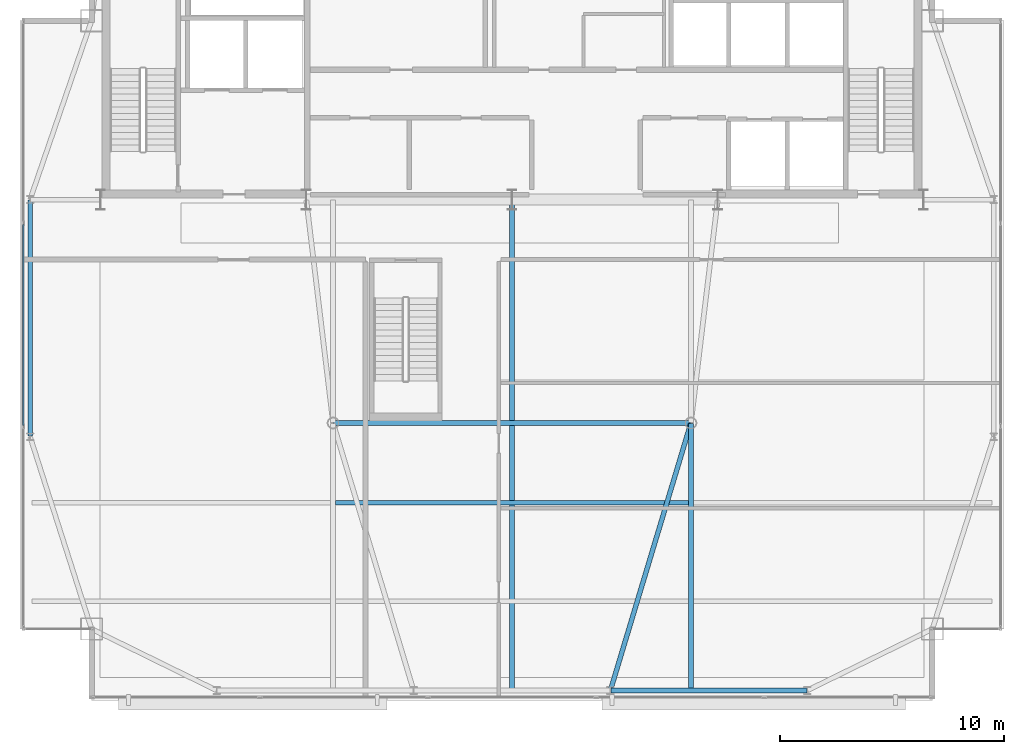
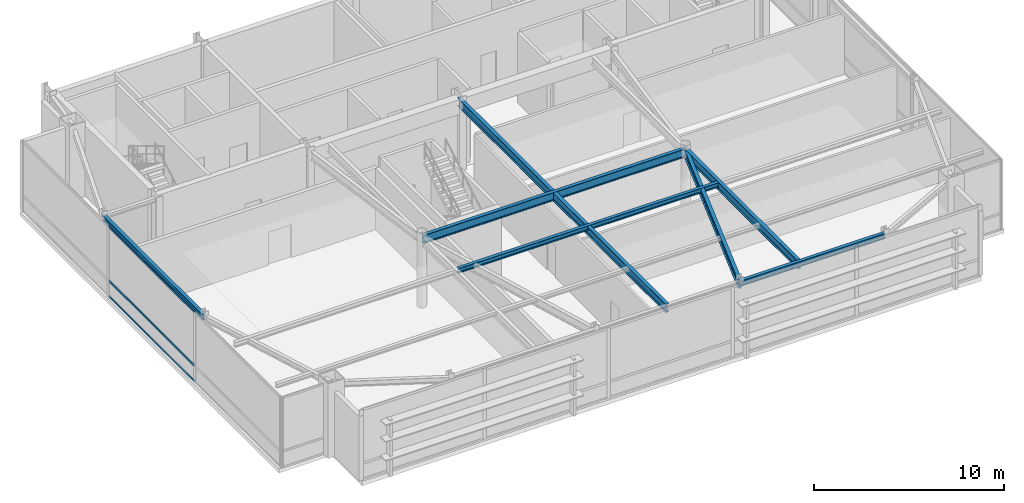
# One storey, part 9 of 21: 7 beams, 3 members, 1 element without a shape of its own.
"""IFC4 building model written with IfcOpenShell, lengths in metres."""

import ifcopenshell
import ifcopenshell.guid

model = None  # the IFC model being written
_history = None  # IfcOwnerHistory: only IFC2X3 demands one
_inside = {}  # id of a spatial element -> (the spatial element, [elements in it])
_under = {}  # id of a project, library or spatial element -> (it, [spatial elements below it])
_declared = {}  # id of a project -> (the project, [libraries it declares])
_typed = {}  # id of a type object -> (the type object, [elements of that type])
_made_of = {}  # id of a material, layer set ... -> (it, [elements and type objects made of it])


def new_model(schema):
    """Start an empty IFC model of exactly this schema.

    Asked for "IFC4X3", IfcOpenShell would pick the latest addendum, in which some entities
    have other attributes; the version numbers below select the first issue.
    IFC2X3 requires an IfcOwnerHistory on every rooted entity: one is made here for all.
    """
    global model, _history
    if schema == "IFC4X3":
        model = ifcopenshell.file(schema_version=(4, 3, 0, 0))
    else:
        model = ifcopenshell.file(schema=schema)
    _inside.clear()
    _under.clear()
    _declared.clear()
    _typed.clear()
    _made_of.clear()
    _history = None
    if model.schema == "IFC2X3":
        org = make("IfcOrganization", Name="unknown")
        user = make(
            "IfcPersonAndOrganization",
            ThePerson=make("IfcPerson", FamilyName="unknown"),
            TheOrganization=org,
        )
        app = make(
            "IfcApplication",
            ApplicationDeveloper=org,
            Version="unknown",
            ApplicationFullName="unknown",
            ApplicationIdentifier="unknown",
        )
        _history = make(
            "IfcOwnerHistory",
            OwningUser=user,
            OwningApplication=app,
            ChangeAction="ADDED",
            CreationDate=0,
        )
    return model


def make(cls, **values):
    """One entity of the class cls with the attributes given. An attribute that is None is left unset."""
    return model.create_entity(
        cls, **{name: value for name, value in values.items() if value is not None}
    )


def rooted(cls, **values):
    """An entity with a GlobalId (a new one), such as an element, a storey or a relation."""
    return make(cls, GlobalId=ifcopenshell.guid.new(), OwnerHistory=_history, **values)


def si_unit(unit_type, name, prefix=None):
    """IfcSIUnit, for example si_unit("LENGTHUNIT", "METRE", prefix="MILLI")."""
    return make("IfcSIUnit", UnitType=unit_type, Prefix=prefix, Name=name)


def assignment(units):
    """IfcUnitAssignment: the units of a project."""
    return None if units is None else make("IfcUnitAssignment", Units=units)


def point(xyz):
    """IfcCartesianPoint."""
    return None if xyz is None else make("IfcCartesianPoint", Coordinates=xyz)


def direction(xyz):
    """IfcDirection."""
    return None if xyz is None else make("IfcDirection", DirectionRatios=xyz)


def frame(location, z_axis=None, x_axis=None):
    """IfcAxis2Placement3D, a coordinate frame: its origin and axes. An axis left out is left unset."""
    return make(
        "IfcAxis2Placement3D",
        Location=point(location),
        Axis=direction(z_axis),
        RefDirection=direction(x_axis),
    )


def frame_2d(location, x_axis=None):
    """IfcAxis2Placement2D, a coordinate frame in the plane: its origin and x axis."""
    return make(
        "IfcAxis2Placement2D", Location=point(location), RefDirection=direction(x_axis)
    )


def origin():
    """The frame at (0, 0, 0) with its axes left unset."""
    return frame((0.0, 0.0, 0.0))


def origin_2d():
    """The frame at (0, 0) in the plane with its x axis left unset."""
    return frame_2d((0.0, 0.0))


def place(relative_to, where):
    """IfcLocalPlacement: puts the frame where relative to a parent placement (None: the world)."""
    return make(
        "IfcLocalPlacement", PlacementRelTo=relative_to, RelativePlacement=where
    )


def context(
    kind, dimensions, precision=None, world=None, true_north=None, identifier=None
):
    """IfcGeometricRepresentationContext, for example the 3D "Model" context."""
    return make(
        "IfcGeometricRepresentationContext",
        ContextIdentifier=identifier,
        ContextType=kind,
        CoordinateSpaceDimension=dimensions,
        Precision=precision,
        WorldCoordinateSystem=world,
        TrueNorth=true_north,
    )


def subcontext(parent, identifier, kind, view, scale=None):
    """IfcGeometricRepresentationSubContext, for example "Body" below "Model"."""
    return make(
        "IfcGeometricRepresentationSubContext",
        ContextIdentifier=identifier,
        ContextType=kind,
        ParentContext=parent,
        TargetScale=scale,
        TargetView=view,
    )


def project(units=None, contexts=None):
    """IfcProject with its units and contexts."""
    return rooted(
        "IfcProject",
        Name="project",
        RepresentationContexts=contexts,
        UnitsInContext=assignment(units),
    )


def spatial(cls, under=None, at=None, **own):
    """A site, building, storey or space (cls), placed at a placement, below another one or the project."""
    s = rooted(cls, ObjectPlacement=at, **own)
    if under is not None:
        _under.setdefault(under.id(), (under, []))[1].append(s)
    return s


def profile(cls, at=None, kind="AREA", **sizes):
    """A parametric profile (cls). Its sizes go by their IFC names, for example OverallWidth=200.0."""
    return make(cls, ProfileType=kind, Position=at, **sizes)


def hollow_rectangle(**sizes):
    """IfcRectangleHollowProfileDef."""
    return profile("IfcRectangleHollowProfileDef", **sizes)


def i_section(**sizes):
    """IfcIShapeProfileDef."""
    return profile("IfcIShapeProfileDef", **sizes)


def extrude(swept, where, along, depth):
    """IfcExtrudedAreaSolid: the profile swept, set in the frame where, extruded along a direction by depth."""
    return make(
        "IfcExtrudedAreaSolid",
        SweptArea=swept,
        Position=where,
        ExtrudedDirection=direction(along),
        Depth=depth,
    )


def shape(context_of_items, identifier, shape_type, items):
    """IfcShapeRepresentation: the items that make up one representation, for example the "Body"."""
    return make(
        "IfcShapeRepresentation",
        ContextOfItems=context_of_items,
        RepresentationIdentifier=identifier,
        RepresentationType=shape_type,
        Items=items,
    )


def source(mapping_origin, context_of_items, identifier, shape_type, items):
    """IfcRepresentationMap: a shape defined once, which mapped items show again and again."""
    return make(
        "IfcRepresentationMap",
        MappingOrigin=mapping_origin,
        MappedRepresentation=shape(context_of_items, identifier, shape_type, items),
    )


def transform(
    local_origin,
    x_axis=None,
    y_axis=None,
    z_axis=None,
    scale=None,
    scale2=None,
    scale3=None,
    uniform=True,
):
    """IfcCartesianTransformationOperator3D, or its non-uniform kind. x_axis, y_axis, z_axis: its Axis1, 2, 3."""
    if uniform:
        return make(
            "IfcCartesianTransformationOperator3D",
            Axis1=direction(x_axis),
            Axis2=direction(y_axis),
            LocalOrigin=point(local_origin),
            Scale=scale,
            Axis3=direction(z_axis),
        )
    return make(
        "IfcCartesianTransformationOperator3DnonUniform",
        Axis1=direction(x_axis),
        Axis2=direction(y_axis),
        LocalOrigin=point(local_origin),
        Scale=scale,
        Axis3=direction(z_axis),
        Scale2=scale2,
        Scale3=scale3,
    )


def mapped(mapping_source, mapping_target):
    """IfcMappedItem: shows the shape of a source again, moved by a transform."""
    return make(
        "IfcMappedItem", MappingSource=mapping_source, MappingTarget=mapping_target
    )


def material(Name=None, Category=None):
    """IfcMaterial."""
    return make("IfcMaterial", Name=Name, Category=Category)


def layer(
    of_material, thickness, ventilated=None, Name=None, Category=None, Priority=None
):
    """IfcMaterialLayer: one layer of a wall or slab, of a material (None: an air gap)."""
    return make(
        "IfcMaterialLayer",
        Material=of_material,
        LayerThickness=thickness,
        IsVentilated=ventilated,
        Name=Name,
        Category=Category,
        Priority=Priority,
    )


def layer_set(layers, Name=None):
    """IfcMaterialLayerSet."""
    return make("IfcMaterialLayerSet", MaterialLayers=layers, LayerSetName=Name)


def material_profile(
    of_material, cross_section, Name=None, Category=None, Priority=None
):
    """IfcMaterialProfile: a cross section and its material."""
    return make(
        "IfcMaterialProfile",
        Name=Name,
        Material=of_material,
        Profile=cross_section,
        Priority=Priority,
        Category=Category,
    )


def profile_set(profiles, Name=None, composite=None):
    """IfcMaterialProfileSet."""
    return make(
        "IfcMaterialProfileSet",
        Name=Name,
        MaterialProfiles=profiles,
        CompositeProfile=composite,
    )


def made_of(thing, what):
    """Note that an element or type object is made of a material, layer set ...; save() writes the relation."""
    if what is not None:
        _made_of.setdefault(what.id(), (what, []))[1].append(thing)
    return thing


def type_object(cls, material=None, **own):
    """A type object (cls), such as IfcWallType, which elements share."""
    return made_of(rooted(cls, **own), material)


def type_shapes(of_type, sources):
    """Give a type object the sources (RepresentationMaps) that its elements show as mapped items."""
    of_type.RepresentationMaps = sources


def element(
    cls,
    number,
    at=None,
    inside=None,
    cuts=None,
    type_object=None,
    material=None,
    context=None,
    identifier="Body",
    shape_type=None,
    held_by="IfcProductDefinitionShape",
    body=None,
    shapes=None,
    **own,
):
    """One element of the class cls, such as IfcWall. Its Tag is "e" and its number.

    at: its placement. inside: the storey or other place that contains it. cuts: it is an
    opening in that element (IfcRelVoidsElement). A single representation is given by context,
    identifier, shape_type and body (its items); several are given by shapes. held_by: the class
    of the entity that holds the representations. save() writes the other relations.
    """
    e = rooted(cls, Tag="e%d" % number, ObjectPlacement=at, **own)
    if body is not None:
        shapes = [shape(context, identifier, shape_type, body)]
    if shapes is not None:
        e.Representation = make(held_by, Representations=shapes)
    if inside is not None:
        _inside.setdefault(inside.id(), (inside, []))[1].append(e)
    if cuts is not None:
        rooted(
            "IfcRelVoidsElement", RelatingBuildingElement=cuts, RelatedOpeningElement=e
        )
    if type_object is not None:
        _typed.setdefault(type_object.id(), (type_object, []))[1].append(e)
    return made_of(e, material)


def aggregate(whole, parts):
    """IfcRelAggregates: a whole, such as a stair, and the parts it consists of."""
    return rooted("IfcRelAggregates", RelatingObject=whole, RelatedObjects=parts)


def save(model, path):
    """Write the relations noted so far, then the file.

    IfcRelAggregates (storeys below a building ...), IfcRelContainedInSpatialStructure (elements
    in a storey), IfcRelDefinesByType, IfcRelAssociatesMaterial and IfcRelDeclares: one each for
    every whole, place, type object, material and project.
    """
    for whole, parts in _under.values():
        aggregate(whole, parts)
    for where, things in _inside.values():
        rooted(
            "IfcRelContainedInSpatialStructure",
            RelatedElements=things,
            RelatingStructure=where,
        )
    for kind, things in _typed.values():
        rooted("IfcRelDefinesByType", RelatedObjects=things, RelatingType=kind)
    for what, things in _made_of.values():
        rooted("IfcRelAssociatesMaterial", RelatedObjects=things, RelatingMaterial=what)
    for by, libraries in _declared.values():
        rooted("IfcRelDeclares", RelatingContext=by, RelatedDefinitions=libraries)
    model.write(path)


model = new_model("IFC4")

# Units and contexts
model_context = context("Model", 3, precision=1e-05, world=origin(), true_north=direction((0.0, 1.0)))
body_context = subcontext(model_context, "Body", "Model", "MODEL_VIEW")
ifc_project = project(units=[si_unit("LENGTHUNIT", "METRE"), si_unit("AREAUNIT", "SQUARE_METRE"), si_unit("VOLUMEUNIT", "CUBIC_METRE"), si_unit("PLANEANGLEUNIT", "RADIAN"), si_unit("MASSUNIT", "GRAM", prefix="KILO")], contexts=[model_context])

# Site, building, storey
site_placement = place(None, origin())
site = spatial("IfcSite", under=ifc_project, at=site_placement, CompositionType="ELEMENT")
building_placement = place(site_placement, origin())
building = spatial("IfcBuilding", under=site, at=building_placement, Name="Varnel Quay Broadcast Tower", CompositionType="ELEMENT")
storey_placement = place(building_placement, frame((0.0, 0.0, 300.199951171875)))
storey = spatial("IfcBuildingStorey", under=building, at=storey_placement, Name="L75", CompositionType="ELEMENT", Elevation=300.199951171875)

# Beams
ifc_material_1 = material(Name="Structural Steel CSA G40.21 350W", Category="steel")
ifc_material_profile_1 = material_profile(ifc_material_1, i_section(OverallWidth=0.205078125, OverallDepth=0.35400390625, WebThickness=0.009521484375, FlangeThickness=0.016845703125, FilletRadius=0.012939453125, at=origin_2d()), Name="W360X79")
ifc_profile_set_1 = profile_set([ifc_material_profile_1], Name="Structural Steel CSA G40.21 350W")
beam_type_1 = type_object("IfcBeamType", Name="Beam_W360X79", PredefinedType="SPANDREL", material=ifc_profile_set_1)
shared_shape_1 = source(origin(), body_context, "Body", "SweptSolid", [
    extrude(i_section(OverallWidth=0.205078125, OverallDepth=0.35400390625, WebThickness=0.009521484375, FlangeThickness=0.016845703125, FilletRadius=0.012939453125, at=origin_2d()), origin(), (0.0, 0.0, 1.0), 8.760009765625),
])
beam_1_placement = place(storey_placement, frame((38.419921875, 13.64990234375, 4.343017578125), z_axis=(1.0, 0.0, 0.0), x_axis=(0.0, 1.0, 0.0)))
element("IfcBeam", 1, at=beam_1_placement, inside=storey, type_object=beam_type_1, Name="L75 South Spandrel TC-S3-TC-S4", PredefinedType="SPANDREL", context=body_context, shape_type="MappedRepresentation", body=[
    mapped(shared_shape_1, transform((0.0, 0.0, 0.0), x_axis=(1.0, 0.0, 0.0), y_axis=(0.0, 1.0, 0.0), z_axis=(0.0, 0.0, 1.0), scale=1.0)),
])
shared_shape_2 = source(origin(), body_context, "Body", "SweptSolid", [
    extrude(i_section(OverallWidth=0.205078125, OverallDepth=0.35400390625, WebThickness=0.009521484375, FlangeThickness=0.016845703125, FilletRadius=0.012939453125, at=origin_2d()), origin(), (0.0, 0.0, 1.0), 10.56005859375),
])
type_shapes(beam_type_1, [shared_shape_1, shared_shape_2])
beam_2_placement = place(storey_placement, frame((12.449951171875, 25.02001953125, 4.343017578125), z_axis=(0.0, 1.0, 0.0), x_axis=(-1.0, 0.0, 0.0)))
element("IfcBeam", 2, at=beam_2_placement, inside=storey, type_object=beam_type_1, Name="L75 West Spandrel TC-W1-TC-W2", PredefinedType="SPANDREL", context=body_context, shape_type="MappedRepresentation", body=[
    mapped(shared_shape_2, transform((0.0, 0.0, 0.0), x_axis=(1.0, 0.0, 0.0), y_axis=(0.0, 1.0, 0.0), z_axis=(0.0, 0.0, 1.0), scale=1.0)),
])
ifc_material_profile_2 = material_profile(ifc_material_1, i_section(OverallWidth=0.2119140625, OverallDepth=0.5439453125, WebThickness=0.01318359375, FlangeThickness=0.021240234375, FilletRadius=0.013916015625, at=origin_2d()), Name="W530X123")
ifc_profile_set_2 = profile_set([ifc_material_profile_2], Name="Structural Steel CSA G40.21 350W")
beam_type_2 = type_object("IfcBeamType", Name="Girder_W530X123", PredefinedType="BEAM", material=ifc_profile_set_2)
shared_shape_3 = source(origin(), body_context, "Body", "SweptSolid", [
    extrude(i_section(OverallWidth=0.2119140625, OverallDepth=0.5439453125, WebThickness=0.01318359375, FlangeThickness=0.021240234375, FilletRadius=0.013916015625, at=origin_2d()), origin(), (0.0, 0.0, 1.0), 12.449951171875),
])
beam_3_placement = place(storey_placement, frame((38.40576171875, 13.669189453125, 4.248046875), z_axis=(0.28822390679, 0.957563042078, 0.0), x_axis=(-0.957563042078, 0.28822390679, 0.0)))
element("IfcBeam", 3, at=beam_3_placement, inside=storey, type_object=beam_type_2, Name="L75 Primary Girder TC-S3-IC-02", PredefinedType="BEAM", context=body_context, shape_type="MappedRepresentation", body=[
    mapped(shared_shape_3, transform((0.0, 0.0, 0.0), x_axis=(1.0, 0.0, 0.0), y_axis=(0.0, 1.0, 0.0), z_axis=(0.0, 0.0, 1.0), scale=1.0)),
])
shared_shape_4 = source(origin(), body_context, "Body", "SweptSolid", [
    extrude(i_section(OverallWidth=0.2119140625, OverallDepth=0.5439453125, WebThickness=0.01318359375, FlangeThickness=0.021240234375, FilletRadius=0.013916015625, at=origin_2d()), origin(), (0.0, 0.0, 1.0), 15.9599609375),
])
beam_4_placement = place(storey_placement, frame((26.02001953125, 25.610107421875, 4.248046875), z_axis=(1.0, 0.0, 0.0), x_axis=(0.0, 1.0, 0.0)))
element("IfcBeam", 4, at=beam_4_placement, inside=storey, type_object=beam_type_2, Name="L75 Interior Spine Girder", PredefinedType="BEAM", context=body_context, shape_type="MappedRepresentation", body=[
    mapped(shared_shape_4, transform((0.0, 0.0, 0.0), x_axis=(1.0, 0.0, 0.0), y_axis=(0.0, 1.0, 0.0), z_axis=(0.0, 0.0, 1.0), scale=1.0)),
])
shared_shape_5 = source(origin(), body_context, "Body", "SweptSolid", [
    extrude(i_section(OverallWidth=0.2119140625, OverallDepth=0.5439453125, WebThickness=0.01318359375, FlangeThickness=0.021240234375, FilletRadius=0.013916015625, at=origin_2d()), origin(), (0.0, 0.0, 1.0), 21.91015625),
])
beam_5_placement = place(storey_placement, frame((34.0, 13.669921875, 4.248046875), z_axis=(0.0, 1.0, 0.0), x_axis=(-1.0, 0.0, 0.0)))
element("IfcBeam", 5, at=beam_5_placement, inside=storey, type_object=beam_type_2, Name="L75 Central Bay Girder", PredefinedType="BEAM", context=body_context, shape_type="MappedRepresentation", body=[
    mapped(shared_shape_5, transform((0.0, 0.0, 0.0), x_axis=(1.0, 0.0, 0.0), y_axis=(0.0, 1.0, 0.0), z_axis=(0.0, 0.0, 1.0), scale=1.0)),
])
shared_shape_6 = source(origin(), body_context, "Body", "SweptSolid", [
    extrude(i_section(OverallWidth=0.2119140625, OverallDepth=0.5439453125, WebThickness=0.01318359375, FlangeThickness=0.021240234375, FilletRadius=0.013916015625, at=origin_2d()), origin(), (0.0, 0.0, 1.0), 11.920166015625),
])
type_shapes(beam_type_2, [shared_shape_3, shared_shape_4, shared_shape_5, shared_shape_6])
beam_6_placement = place(storey_placement, frame((42.0, 13.669921875, 4.248046875), z_axis=(0.0, 1.0, 0.0), x_axis=(-1.0, 0.0, 0.0)))
element("IfcBeam", 6, at=beam_6_placement, inside=storey, type_object=beam_type_2, Name="L75 N-S Joist Header IC-02S", PredefinedType="BEAM", context=body_context, shape_type="MappedRepresentation", body=[
    mapped(shared_shape_6, transform((0.0, 0.0, 0.0), x_axis=(1.0, 0.0, 0.0), y_axis=(0.0, 1.0, 0.0), z_axis=(0.0, 0.0, 1.0), scale=1.0)),
])
ifc_material_profile_3 = material_profile(ifc_material_1, i_section(OverallWidth=0.202880859375, OverallDepth=0.302978515625, WebThickness=0.007568359375, FlangeThickness=0.01318359375, FilletRadius=0.011962890625, at=origin_2d()), Name="W310X60")
ifc_profile_set_3 = profile_set([ifc_material_profile_3], Name="Structural Steel CSA G40.21 350W")
beam_type_3 = type_object("IfcBeamType", Name="Beam_W310X60", PredefinedType="JOIST", material=ifc_profile_set_3)
shared_shape_7 = source(origin(), body_context, "Body", "SweptSolid", [
    extrude(i_section(OverallWidth=0.202880859375, OverallDepth=0.302978515625, WebThickness=0.007568359375, FlangeThickness=0.01318359375, FilletRadius=0.011962890625, at=origin_2d()), origin(), (0.0, 0.0, 1.0), 15.7978515625),
])
type_shapes(beam_type_3, [shared_shape_7])
beam_7_placement = place(storey_placement, frame((26.10107421875, 22.050048828125, 4.36865234375), z_axis=(1.0, 0.0, 0.0), x_axis=(0.0, 1.0, 0.0)))
element("IfcBeam", 7, at=beam_7_placement, inside=storey, type_object=beam_type_3, Name="L75 Central Floor Joist 2", PredefinedType="JOIST", context=body_context, shape_type="MappedRepresentation", body=[
    mapped(shared_shape_7, transform((0.0, 0.0, 0.0), x_axis=(1.0, 0.0, 0.0), y_axis=(0.0, 1.0, 0.0), z_axis=(0.0, 0.0, 1.0), scale=1.0)),
])

# Curtain wall, members
ifc_material_2 = material(Name="Anodised Bronze Aluminium 6063-T6", Category="aluminium")
ifc_layer = layer(ifc_material_2, 0.18994140625, Name="Anodised Bronze Aluminium 6063-T6")
ifc_layer_set = layer_set([ifc_layer], Name="Anodised Bronze Aluminium 6063-T6")
curtain_wall_type = type_object("IfcCurtainWallType", Name="CW_SkyObsHighVis", PredefinedType="NOTDEFINED", material=ifc_layer_set)
curtain_wall_placement = place(storey_placement, origin())
curtain_wall = element("IfcCurtainWall", 8, at=curtain_wall_placement, inside=storey, type_object=curtain_wall_type, Name="L75 West Unitised Curtain Wall", PredefinedType="NOTDEFINED")
ifc_material_profile_4 = material_profile(ifc_material_2, hollow_rectangle(XDim=0.06005859375, YDim=0.14501953125, WallThickness=0.00341796875, at=origin_2d()), Name="ALU60X145X3.5")
ifc_profile_set_4 = profile_set([ifc_material_profile_4], Name="Anodised Bronze Aluminium 6063-T6")
member_type = type_object("IfcMemberType", Name="Tran_CWS-05", PredefinedType="USERDEFINED", material=ifc_profile_set_4)
shared_shape_8 = source(origin(), body_context, "Body", "SweptSolid", [
    extrude(hollow_rectangle(XDim=0.06005859375, YDim=0.14501953125, WallThickness=0.00341796875, at=origin_2d()), origin(), (0.0, 0.0, 1.0), 8.99169921875),
])
type_shapes(member_type, [shared_shape_8])
member_1_placement = place(storey_placement, frame((12.14990234375, 25.504150390625, 0.030029296875), z_axis=(0.0, 1.0, 0.0), x_axis=(-1.0, 0.0, 0.0)))
member_1 = element("IfcMember", 9, at=member_1_placement, type_object=member_type, Name="CWS-05 transom 2.1", ObjectType="TRANSOM", PredefinedType="USERDEFINED", context=body_context, shape_type="MappedRepresentation", body=[
    mapped(shared_shape_8, transform((0.0, 0.0, 0.0), x_axis=(1.0, 0.0, 0.0), y_axis=(0.0, 1.0, 0.0), z_axis=(0.0, 0.0, 1.0), scale=1.0)),
])
member_2_placement = place(storey_placement, frame((12.14990234375, 25.504150390625, 1.050048828125), z_axis=(0.0, 1.0, 0.0), x_axis=(-1.0, 0.0, 0.0)))
member_2 = element("IfcMember", 10, at=member_2_placement, type_object=member_type, Name="CWS-05 transom 2.2", ObjectType="TRANSOM", PredefinedType="USERDEFINED", context=body_context, shape_type="MappedRepresentation", body=[
    mapped(shared_shape_8, transform((0.0, 0.0, 0.0), x_axis=(1.0, 0.0, 0.0), y_axis=(0.0, 1.0, 0.0), z_axis=(0.0, 0.0, 1.0), scale=1.0)),
])
member_3_placement = place(storey_placement, frame((12.14990234375, 25.504150390625, 4.489990234375), z_axis=(0.0, 1.0, 0.0), x_axis=(-1.0, 0.0, 0.0)))
member_3 = element("IfcMember", 11, at=member_3_placement, type_object=member_type, Name="CWS-05 transom 2.3", ObjectType="TRANSOM", PredefinedType="USERDEFINED", context=body_context, shape_type="MappedRepresentation", body=[
    mapped(shared_shape_8, transform((0.0, 0.0, 0.0), x_axis=(1.0, 0.0, 0.0), y_axis=(0.0, 1.0, 0.0), z_axis=(0.0, 0.0, 1.0), scale=1.0)),
])
aggregate(curtain_wall, [member_1, member_2, member_3])

save(model, "model.ifc")
